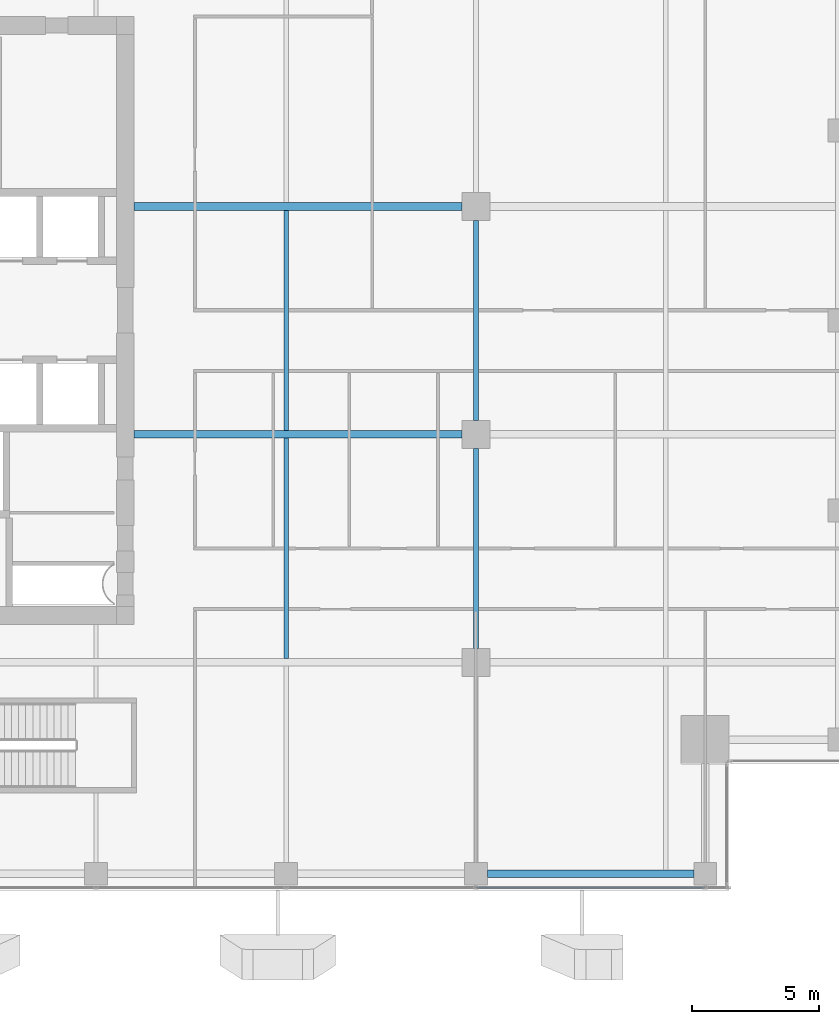
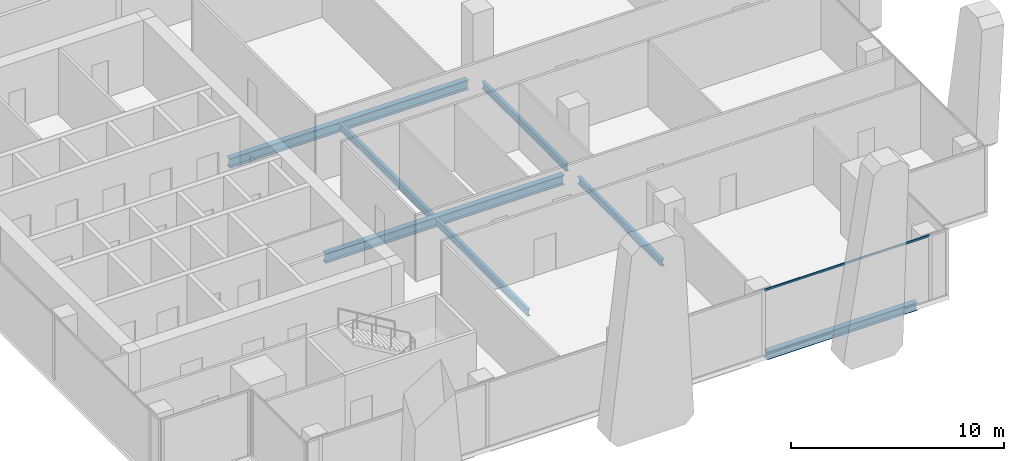
# One storey, part 8 of 36: 7 beams, 1 member, 1 element without a shape of its own.
"""IFC4 building model written with IfcOpenShell, lengths in metres."""

from ifc_helpers import new_model, si_unit, direction, frame, origin, origin_2d, place, context, subcontext, project, spatial, hollow_rectangle, i_section, extrude, source, transform, mapped, material, material_profile, profile_set, type_object, element, aggregate, save


model = new_model("IFC4")

# Units and contexts
model_context = context("Model", 3, precision=1e-05, world=origin(), true_north=direction((0.0, 1.0)))
body_context = subcontext(model_context, "Body", "Model", "MODEL_VIEW")
ifc_project = project(units=[si_unit("LENGTHUNIT", "METRE"), si_unit("AREAUNIT", "SQUARE_METRE"), si_unit("VOLUMEUNIT", "CUBIC_METRE"), si_unit("PLANEANGLEUNIT", "RADIAN"), si_unit("MASSUNIT", "GRAM", prefix="KILO")], contexts=[model_context])

# Site, building, storey
site_placement = place(None, origin())
site = spatial("IfcSite", under=ifc_project, at=site_placement, CompositionType="ELEMENT")
building_placement = place(site_placement, origin())
building = spatial("IfcBuilding", under=site, at=building_placement, Name="Khomas Fold Tower", CompositionType="ELEMENT")
storey_placement = place(building_placement, frame((0.0, 0.0, 238.199951171875)))
storey = spatial("IfcBuildingStorey", under=building, at=storey_placement, Name="L53", CompositionType="ELEMENT", Elevation=238.199951171875)

# Beams
ifc_material_1 = material(Name="Steel S355", Category="steel")
ifc_material_profile_1 = material_profile(ifc_material_1, i_section(OverallWidth=0.179931640625, OverallDepth=0.39990234375, WebThickness=0.008544921875, FlangeThickness=0.013427734375, at=origin_2d()), Name="IPE 400")
ifc_profile_set_1 = profile_set([ifc_material_profile_1], Name="Steel S355")
beam_type_1 = type_object("IfcBeamType", Name="IPE 400 beam JB3", PredefinedType="BEAM", material=ifc_profile_set_1)
shared_shape_1 = source(origin(), body_context, "Body", "SweptSolid", [
    extrude(i_section(OverallWidth=0.179931640625, OverallDepth=0.39990234375, WebThickness=0.008544921875, FlangeThickness=0.013427734375, at=origin_2d()), origin(), (0.0, 0.0, 1.0), 8.7001953125),
])
for number, where, z_axis, x_axis, name in (
    (1, (27.0, 13.64990234375, -0.449951171875), (0.0, 1.0, 0.0), (-1.0, 0.0, 0.0), "JB3"),
    (2, (27.0, 22.64990234375, -0.449951171875), (0.0, 1.0, 0.0), (-1.0, 0.0, 0.0), "JB3"),
):
    element("IfcBeam", number, at=place(storey_placement, frame(where, z_axis=z_axis, x_axis=x_axis)), inside=storey, type_object=beam_type_1, Name=name, PredefinedType="BEAM", context=body_context, shape_type="MappedRepresentation", body=[
        mapped(shared_shape_1, transform((0.0, 0.0, 0.0))),
    ])
ifc_material_2 = material(Name="Steel S355", Category="steel")
ifc_material_profile_2 = material_profile(ifc_material_2, i_section(OverallWidth=0.300048828125, OverallDepth=0.449951171875, WebThickness=0.013916015625, FlangeThickness=0.02587890625, at=origin_2d()), Name="HE 450 B")
ifc_profile_set_2 = profile_set([ifc_material_profile_2], Name="Steel S355")
beam_type_2 = type_object("IfcBeamType", Name="HE 450 B spandrel SB4", PredefinedType="SPANDREL", material=ifc_profile_set_2)
shared_shape_2 = source(origin(), body_context, "Body", "SweptSolid", [
    extrude(i_section(OverallWidth=0.300048828125, OverallDepth=0.449951171875, WebThickness=0.013916015625, FlangeThickness=0.02587890625, at=origin_2d()), origin(), (0.0, 0.0, 1.0), 8.150146484375),
])
beam_placement = place(storey_placement, frame((34.949951171875, 5.14990234375, -0.474853515625), z_axis=(1.0, 0.0, 0.0), x_axis=(0.0, 1.0, 0.0)))
element("IfcBeam", 3, at=beam_placement, inside=storey, type_object=beam_type_2, Name="SB4", PredefinedType="SPANDREL", context=body_context, shape_type="MappedRepresentation", body=[
    mapped(shared_shape_2, transform((0.0, 0.0, 0.0))),
])
ifc_material_3 = material(Name="Steel S355", Category="steel")
ifc_material_profile_3 = material_profile(ifc_material_3, i_section(OverallWidth=0.300048828125, OverallDepth=0.550048828125, WebThickness=0.014892578125, FlangeThickness=0.029052734375, at=origin_2d()), Name="HE 550 B")
ifc_profile_set_3 = profile_set([ifc_material_profile_3], Name="Steel S355")
beam_type_3 = type_object("IfcBeamType", Name="HE 550 B beam GB4", PredefinedType="BEAM", material=ifc_profile_set_3)
shared_shape_3 = source(origin(), body_context, "Body", "SweptSolid", [
    extrude(i_section(OverallWidth=0.300048828125, OverallDepth=0.550048828125, WebThickness=0.014892578125, FlangeThickness=0.029052734375, at=origin_2d()), origin(), (0.0, 0.0, 1.0), 12.949951171875),
])
for number, where, z_axis, x_axis, name in (
    (4, (21.0, 22.5, -0.52490234375), (1.0, 0.0, 0.0), (0.0, 1.0, 0.0), "GB4"),
    (5, (21.0, 31.5, -0.52490234375), (1.0, 0.0, 0.0), (0.0, 1.0, 0.0), "GB4"),
):
    element("IfcBeam", number, at=place(storey_placement, frame(where, z_axis=z_axis, x_axis=x_axis)), inside=storey, type_object=beam_type_3, Name=name, PredefinedType="BEAM", context=body_context, shape_type="MappedRepresentation", body=[
        mapped(shared_shape_3, transform((0.0, 0.0, 0.0))),
    ])
shared_shape_4 = source(origin(), body_context, "Body", "SweptSolid", [
    extrude(i_section(OverallWidth=0.179931640625, OverallDepth=0.39990234375, WebThickness=0.008544921875, FlangeThickness=0.013427734375, at=origin_2d()), origin(), (0.0, 0.0, 1.0), 7.89990234375),
])
for number, where, z_axis, x_axis, name in (
    (6, (34.5, 14.050048828125, -0.449951171875), (0.0, 1.0, 0.0), (-1.0, 0.0, 0.0), "JB3"),
    (7, (34.5, 23.050048828125, -0.449951171875), (0.0, 1.0, 0.0), (-1.0, 0.0, 0.0), "JB3"),
):
    element("IfcBeam", number, at=place(storey_placement, frame(where, z_axis=z_axis, x_axis=x_axis)), inside=storey, type_object=beam_type_1, Name=name, PredefinedType="BEAM", context=body_context, shape_type="MappedRepresentation", body=[
        mapped(shared_shape_4, transform((0.0, 0.0, 0.0))),
    ])

# Curtain wall, member
ifc_material_4 = material(Name="Aluminium framed double glazing", Category="aluminium")
curtain_wall_type = type_object("IfcCurtainWallType", Name="SK-Unitised clear-glass wall, office floors CW2", PredefinedType="NOTDEFINED", material=ifc_material_4)
curtain_wall_placement = place(storey_placement, origin())
curtain_wall = element("IfcCurtainWall", 8, at=curtain_wall_placement, inside=storey, type_object=curtain_wall_type, Name="CW2 run L53 00-0", PredefinedType="NOTDEFINED")
ifc_material_5 = material(Name="Aluminium", Category="aluminium")
ifc_material_profile_4 = material_profile(ifc_material_5, hollow_rectangle(XDim=0.050048828125, YDim=0.110107421875, WallThickness=0.00390625, at=origin_2d()), Name="SK-Unitised clear-glass wall, office floors transom CW2-T")
ifc_profile_set_4 = profile_set([ifc_material_profile_4], Name="Aluminium")
member_type = type_object("IfcMemberType", Name="SK-Unitised clear-glass wall, office floors transom CW2-T", PredefinedType="USERDEFINED", material=ifc_profile_set_4)
shared_shape_5 = source(origin(), body_context, "Body", "SweptSolid", [
    extrude(hollow_rectangle(XDim=0.050048828125, YDim=0.110107421875, WallThickness=0.00390625, at=origin_2d()), origin(), (0.0, 0.0, 1.0), 8.989990234375),
])
member_placement = place(storey_placement, frame((34.530029296875, 4.60009765625, 3.695068359375), z_axis=(1.0, 0.0, 0.0), x_axis=(0.0, 1.0, 0.0)))
member = element("IfcMember", 9, at=member_placement, type_object=member_type, Name="CW2 transom 5", ObjectType="TRANSOM", PredefinedType="USERDEFINED", context=body_context, shape_type="MappedRepresentation", body=[
    mapped(shared_shape_5, transform((0.0, 0.0, 0.0))),
])
aggregate(curtain_wall, [member])

save(model, "model.ifc")
